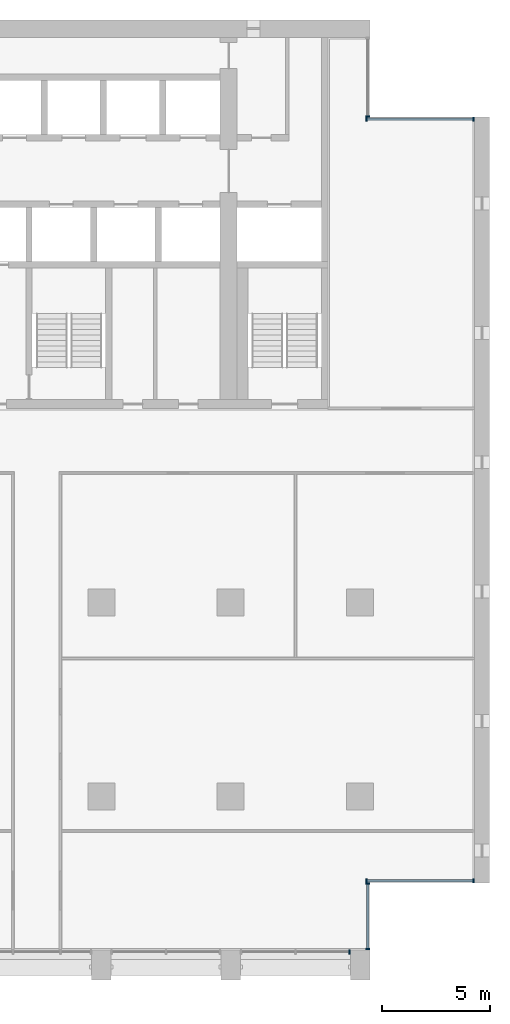
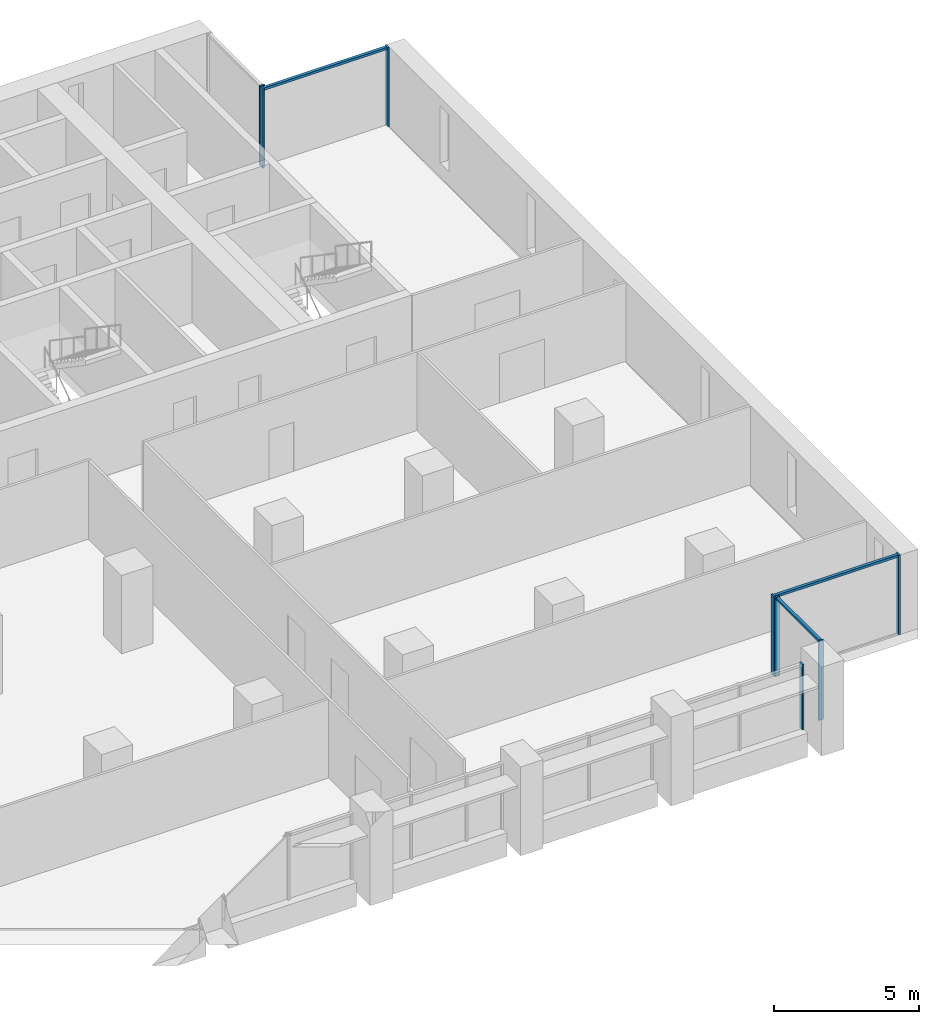
# One storey, part 5 of 16: 11 members, 5 elements without a shape of their own.
"""IFC4 building model written with IfcOpenShell, lengths in metres."""

from ifc_helpers import new_model, si_unit, direction, frame, origin, origin_2d, place, context, subcontext, project, spatial, rectangle, extrude, material, material_profile, profile_set, type_object, element, aggregate, save


model = new_model("IFC4")

# Units and contexts
model_context = context("Model", 3, precision=1e-05, world=origin(), true_north=direction((0.0, 1.0)))
body_context = subcontext(model_context, "Body", "Model", "MODEL_VIEW")
ifc_project = project(units=[si_unit("LENGTHUNIT", "METRE"), si_unit("AREAUNIT", "SQUARE_METRE"), si_unit("VOLUMEUNIT", "CUBIC_METRE"), si_unit("PLANEANGLEUNIT", "RADIAN"), si_unit("MASSUNIT", "GRAM", prefix="KILO")], contexts=[model_context])

# Site, building, storey
site_placement = place(None, origin())
site = spatial("IfcSite", under=ifc_project, at=site_placement, CompositionType="ELEMENT")
building_placement = place(site_placement, origin())
building = spatial("IfcBuilding", under=site, at=building_placement, Name="Calvaro Tower", CompositionType="ELEMENT")
storey_placement = place(building_placement, frame((0.0, 0.0, 136.25)))
storey = spatial("IfcBuildingStorey", under=building, at=storey_placement, Name="L34", CompositionType="ELEMENT", Elevation=136.25)

# Curtain wall, member
ifc_material_1 = material(Name="Anodised aluminium", Category="aluminium")
curtain_wall_type = type_object("IfcCurtainWallType", Name="Office curtain wall, middle zone", PredefinedType="NOTDEFINED", material=ifc_material_1)
curtain_wall_1_placement = place(storey_placement, origin())
curtain_wall_1 = element("IfcCurtainWall", 1, at=curtain_wall_1_placement, inside=storey, type_object=curtain_wall_type, Name="CW2 south curtain wall", PredefinedType="NOTDEFINED")
ifc_material_2 = material(Name="Anodised aluminium", Category="aluminium")
ifc_material_profile_1 = material_profile(ifc_material_2, rectangle(XDim=0.199951171875, YDim=0.070068359375, at=origin_2d()), Name="Mullion S2 70 x 200")
ifc_profile_set_1 = profile_set([ifc_material_profile_1], Name="Anodised aluminium")
member_type_1 = type_object("IfcMemberType", Name="Mullion S2 70 x 200", PredefinedType="MULLION", material=ifc_profile_set_1)
member_1_placement = place(storey_placement, frame((65.514892578125, 2.800048828125, 0.0), z_axis=(0.0, 0.0, 1.0), x_axis=(0.0, 1.0, 0.0)))
member_1 = element("IfcMember", 2, at=member_1_placement, type_object=member_type_1, Name="CW2 mullion 3", PredefinedType="MULLION", context=body_context, shape_type="SweptSolid", body=[
    extrude(rectangle(XDim=0.199951171875, YDim=0.070068359375, at=origin_2d()), origin(), (0.0, 0.0, 1.0), 2.75),
])
aggregate(curtain_wall_1, [member_1])

# Curtain wall, members
curtain_wall_2_placement = place(storey_placement, origin())
curtain_wall_2 = element("IfcCurtainWall", 3, at=curtain_wall_2_placement, inside=storey, type_object=curtain_wall_type, Name="CW2 corner curtain wall", PredefinedType="NOTDEFINED")
member_2_placement = place(storey_placement, frame((66.35009765625, 2.93505859375, 0.0), z_axis=(0.0, 0.0, 1.0), x_axis=(-1.0, 0.0, 0.0)))
member_2 = element("IfcMember", 4, at=member_2_placement, type_object=member_type_1, Name="CW2 mullion 1", PredefinedType="MULLION", context=body_context, shape_type="SweptSolid", body=[
    extrude(rectangle(XDim=0.199951171875, YDim=0.070068359375, at=origin_2d()), origin(), (0.0, 0.0, 1.0), 3.35009765625),
])
member_3_placement = place(storey_placement, frame((66.35009765625, 5.965087890625, 0.0), z_axis=(0.0, 0.0, 1.0), x_axis=(-1.0, 0.0, 0.0)))
member_3 = element("IfcMember", 5, at=member_3_placement, type_object=member_type_1, Name="CW2 mullion 2", PredefinedType="MULLION", context=body_context, shape_type="SweptSolid", body=[
    extrude(rectangle(XDim=0.199951171875, YDim=0.070068359375, at=origin_2d()), origin(), (0.0, 0.0, 1.0), 3.35009765625),
])

curtain_wall_3_placement = place(storey_placement, origin())
curtain_wall_3 = element("IfcCurtainWall", 6, at=curtain_wall_3_placement, inside=storey, type_object=curtain_wall_type, Name="CW2 corner curtain wall", PredefinedType="NOTDEFINED")
member_4_placement = place(storey_placement, frame((66.284912109375, 6.10009765625, 0.0), z_axis=(0.0, 0.0, 1.0), x_axis=(0.0, 1.0, 0.0)))
member_4 = element("IfcMember", 7, at=member_4_placement, type_object=member_type_1, Name="CW2 mullion 1", PredefinedType="MULLION", context=body_context, shape_type="SweptSolid", body=[
    extrude(rectangle(XDim=0.199951171875, YDim=0.070068359375, at=origin_2d()), origin(), (0.0, 0.0, 1.0), 3.35009765625),
])
member_5_placement = place(storey_placement, frame((71.264892578125, 6.10009765625, 0.0), z_axis=(0.0, 0.0, 1.0), x_axis=(0.0, 1.0, 0.0)))
member_5 = element("IfcMember", 8, at=member_5_placement, type_object=member_type_1, Name="CW2 mullion 2", PredefinedType="MULLION", context=body_context, shape_type="SweptSolid", body=[
    extrude(rectangle(XDim=0.199951171875, YDim=0.070068359375, at=origin_2d()), origin(), (0.0, 0.0, 1.0), 3.35009765625),
])

# Curtain wall, member
curtain_wall_4_placement = place(storey_placement, origin())
curtain_wall_4 = element("IfcCurtainWall", 9, at=curtain_wall_4_placement, inside=storey, type_object=curtain_wall_type, Name="CW2 corner curtain wall", PredefinedType="NOTDEFINED")
member_6_placement = place(storey_placement, frame((66.35009765625, 41.534912109375, 0.0), z_axis=(0.0, 0.0, 1.0), x_axis=(-1.0, 0.0, 0.0)))
member_6 = element("IfcMember", 10, at=member_6_placement, type_object=member_type_1, Name="CW2 mullion 1", PredefinedType="MULLION", context=body_context, shape_type="SweptSolid", body=[
    extrude(rectangle(XDim=0.199951171875, YDim=0.070068359375, at=origin_2d()), origin(), (0.0, 0.0, 1.0), 3.35009765625),
])
aggregate(curtain_wall_4, [member_6])

# Curtain wall, members
curtain_wall_5_placement = place(storey_placement, origin())
curtain_wall_5 = element("IfcCurtainWall", 11, at=curtain_wall_5_placement, inside=storey, type_object=curtain_wall_type, Name="CW2 corner curtain wall", PredefinedType="NOTDEFINED")
member_7_placement = place(storey_placement, frame((66.284912109375, 41.39990234375, 0.0), z_axis=(0.0, 0.0, 1.0), x_axis=(0.0, 1.0, 0.0)))
member_7 = element("IfcMember", 12, at=member_7_placement, type_object=member_type_1, Name="CW2 mullion 1", PredefinedType="MULLION", context=body_context, shape_type="SweptSolid", body=[
    extrude(rectangle(XDim=0.199951171875, YDim=0.070068359375, at=origin_2d()), origin(), (0.0, 0.0, 1.0), 3.35009765625),
])
member_8_placement = place(storey_placement, frame((71.264892578125, 41.39990234375, 0.0), z_axis=(0.0, 0.0, 1.0), x_axis=(0.0, 1.0, 0.0)))
member_8 = element("IfcMember", 13, at=member_8_placement, type_object=member_type_1, Name="CW2 mullion 2", PredefinedType="MULLION", context=body_context, shape_type="SweptSolid", body=[
    extrude(rectangle(XDim=0.199951171875, YDim=0.070068359375, at=origin_2d()), origin(), (0.0, 0.0, 1.0), 3.35009765625),
])

# Member
ifc_material_3 = material(Name="Anodised aluminium", Category="aluminium")
ifc_material_profile_2 = material_profile(ifc_material_3, rectangle(XDim=0.1201171875, YDim=0.10009765625, at=origin_2d()), Name="Transom S2 100 x 120")
ifc_profile_set_2 = profile_set([ifc_material_profile_2], Name="Anodised aluminium")
member_type_2 = type_object("IfcMemberType", Name="Transom S2 100 x 120", PredefinedType="USERDEFINED", material=ifc_profile_set_2)
member_9_placement = place(storey_placement, frame((66.35009765625, 2.969970703125, 3.300048828125), z_axis=(0.0, 1.0, 0.0), x_axis=(-1.0, 0.0, 0.0)))
member_9 = element("IfcMember", 14, at=member_9_placement, type_object=member_type_2, Name="CW2 transom 1.1", ObjectType="TRANSOM", PredefinedType="USERDEFINED", context=body_context, shape_type="SweptSolid", body=[
    extrude(rectangle(XDim=0.1201171875, YDim=0.10009765625, at=origin_2d()), origin(), (0.0, 0.0, 1.0), 2.9599609375),
])

aggregate(curtain_wall_2, [member_2, member_3, member_9])

member_10_placement = place(storey_placement, frame((66.320068359375, 6.10009765625, 3.300048828125), z_axis=(1.0, 0.0, 0.0), x_axis=(0.0, 1.0, 0.0)))
member_10 = element("IfcMember", 15, at=member_10_placement, type_object=member_type_2, Name="CW2 transom 1.1", ObjectType="TRANSOM", PredefinedType="USERDEFINED", context=body_context, shape_type="SweptSolid", body=[
    extrude(rectangle(XDim=0.1201171875, YDim=0.10009765625, at=origin_2d()), origin(), (0.0, 0.0, 1.0), 4.909912109375),
])

aggregate(curtain_wall_3, [member_4, member_5, member_10])

member_11_placement = place(storey_placement, frame((66.320068359375, 41.39990234375, 3.300048828125), z_axis=(1.0, 0.0, 0.0), x_axis=(0.0, 1.0, 0.0)))
member_11 = element("IfcMember", 16, at=member_11_placement, type_object=member_type_2, Name="CW2 transom 1.1", ObjectType="TRANSOM", PredefinedType="USERDEFINED", context=body_context, shape_type="SweptSolid", body=[
    extrude(rectangle(XDim=0.1201171875, YDim=0.10009765625, at=origin_2d()), origin(), (0.0, 0.0, 1.0), 4.909912109375),
])

aggregate(curtain_wall_5, [member_7, member_8, member_11])

save(model, "model.ifc")
